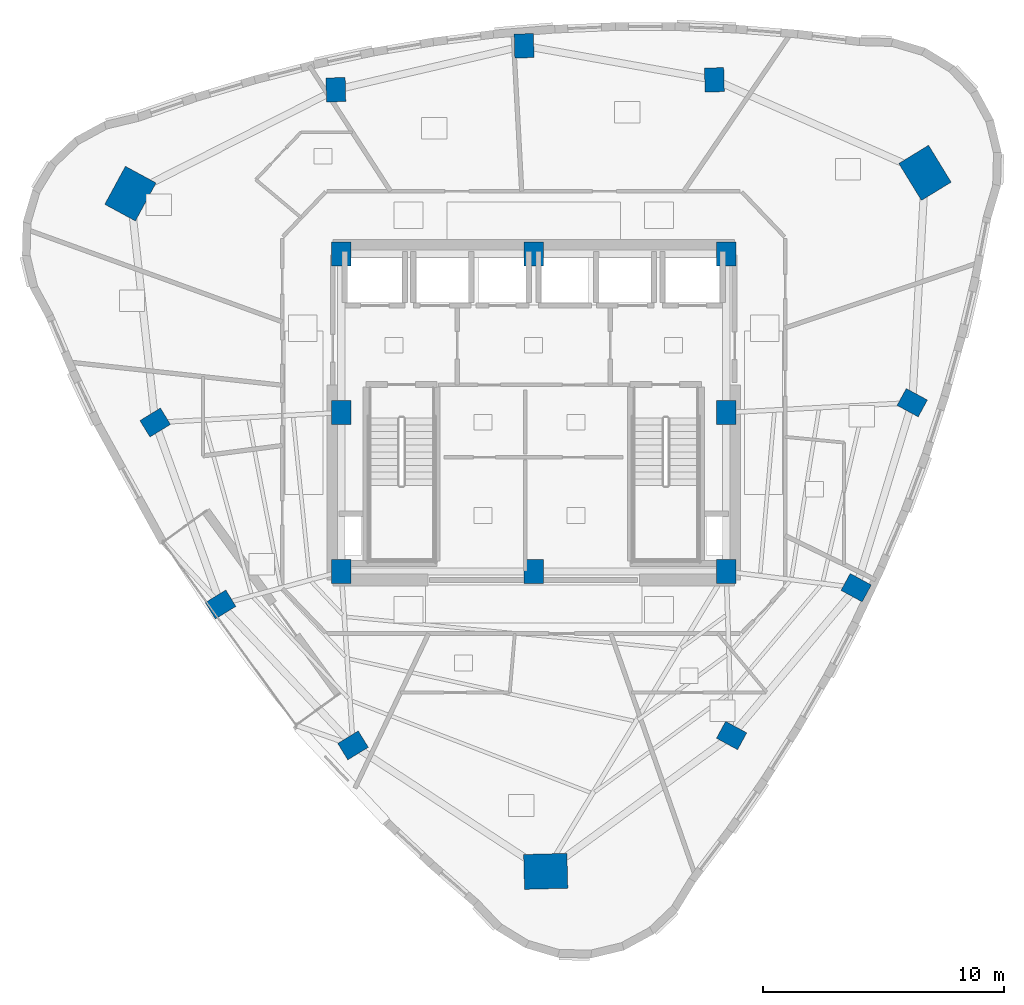
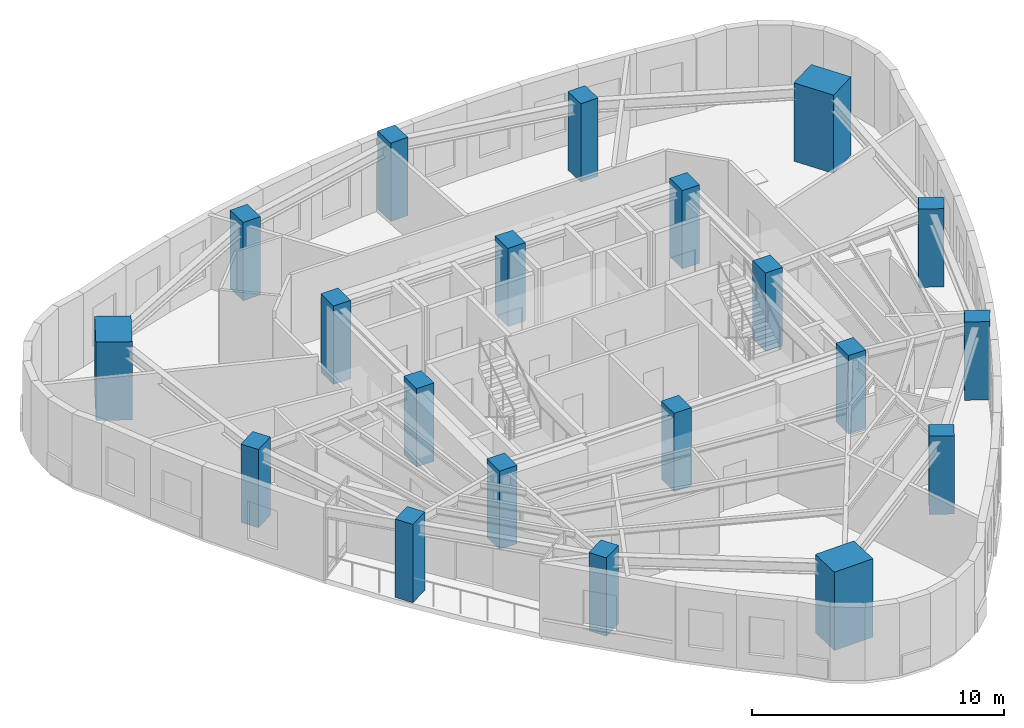
# One storey, part 1 of 12: 20 columns.
"""IFC4 building model written with IfcOpenShell, lengths in metres."""

from ifc_helpers import new_model, si_unit, direction, frame, origin, origin_2d, place, context, subcontext, project, spatial, rectangle, extrude, material, material_profile, profile_set, type_object, element, save


model = new_model("IFC4")

# Units and contexts
model_context = context("Model", 3, precision=1e-05, world=origin(), true_north=direction((0.0, 1.0)))
body_context = subcontext(model_context, "Body", "Model", "MODEL_VIEW")
ifc_project = project(units=[si_unit("LENGTHUNIT", "METRE"), si_unit("AREAUNIT", "SQUARE_METRE"), si_unit("VOLUMEUNIT", "CUBIC_METRE"), si_unit("PLANEANGLEUNIT", "RADIAN"), si_unit("MASSUNIT", "GRAM", prefix="KILO")], contexts=[model_context])

# Site, building, storey
site_placement = place(None, origin())
site = spatial("IfcSite", under=ifc_project, at=site_placement, CompositionType="ELEMENT")
building_placement = place(site_placement, origin())
building = spatial("IfcBuilding", under=site, at=building_placement, Name="Ndelora Gate Hotel", CompositionType="ELEMENT")
storey_placement = place(building_placement, frame((0.0, 0.0, 232.14990234375)))
storey = spatial("IfcBuildingStorey", under=building, at=storey_placement, Name="L58", CompositionType="ELEMENT", Elevation=232.14990234375)

# Columns
ifc_material = material(Name="Concrete C50/60", Category="concrete")
ifc_material_profile_1 = material_profile(ifc_material, rectangle(XDim=0.800048828125, YDim=1.0, at=origin_2d()), Name="RC 1000x800")
ifc_profile_set_1 = profile_set([ifc_material_profile_1], Name="Concrete C50/60")
column_type_1 = type_object("IfcColumnType", Name="COL-CC-HI", PredefinedType="COLUMN", material=ifc_profile_set_1)
for number, where, z_axis, x_axis, name in (
    (1, (-8.0, -6.60009765625, 0.0), (0.0, 0.0, 1.0), (1.0, 0.0, 0.0), "L58 Core Column CC1"),
    (2, (0.0, -6.60009765625, 0.0), (0.0, 0.0, 1.0), (1.0, 0.0, 0.0), "L58 Core Column CC2"),
    (3, (8.0, -6.60009765625, 0.0), (0.0, 0.0, 1.0), (1.0, 0.0, 0.0), "L58 Core Column CC3"),
    (4, (8.0, 0.0, 0.0), (0.0, 0.0, 1.0), (1.0, 0.0, 0.0), "L58 Core Column CC4"),
    (5, (8.0, 6.60009765625, 0.0), (0.0, 0.0, 1.0), (1.0, 0.0, 0.0), "L58 Core Column CC5"),
    (6, (0.0, 6.60009765625, 0.0), (0.0, 0.0, 1.0), (1.0, 0.0, 0.0), "L58 Core Column CC6"),
    (7, (-8.0, 6.60009765625, 0.0), (0.0, 0.0, 1.0), (1.0, 0.0, 0.0), "L58 Core Column CC7"),
    (8, (-8.0, 0.0, 0.0), (0.0, 0.0, 1.0), (1.0, 0.0, 0.0), "L58 Core Column CC8"),
):
    element("IfcColumn", number, at=place(storey_placement, frame(where, z_axis=z_axis, x_axis=x_axis)), inside=storey, type_object=column_type_1, Name=name, PredefinedType="COLUMN", context=body_context, shape_type="SweptSolid", body=[
        extrude(rectangle(XDim=0.800048828125, YDim=1.0, at=origin_2d()), origin(), (0.0, 0.0, 1.0), 3.800048828125),
    ])
ifc_material_profile_2 = material_profile(ifc_material, rectangle(XDim=1.449951171875, YDim=1.800048828125, at=origin_2d()), Name="RC 1800x1450")
ifc_profile_set_2 = profile_set([ifc_material_profile_2], Name="Concrete C50/60")
column_type_2 = type_object("IfcColumnType", Name="COL-MC-Z3", PredefinedType="COLUMN", material=ifc_profile_set_2)
for number, where, z_axis, x_axis, name in (
    (9, (-16.759521484375, 9.099609375, 0.0), (0.0, 0.0, 1.0), (-0.878817112662, 0.47715876026, 0.0), "L58 Corner Mega-Column R1"),
    (10, (0.499267578125, -19.064208984375, 0.0), (0.0, 0.0, 1.0), (-0.026176948308, 0.999657324976, 0.0), "L58 Corner Mega-Column R5"),
    (11, (16.26025390625, 9.96435546875, 0.0), (0.0, 0.0, 1.0), (0.852640164354, 0.522498564716, 0.0), "L58 Corner Mega-Column R9"),
):
    element("IfcColumn", number, at=place(storey_placement, frame(where, z_axis=z_axis, x_axis=x_axis)), inside=storey, type_object=column_type_2, Name=name, PredefinedType="COLUMN", context=body_context, shape_type="SweptSolid", body=[
        extrude(rectangle(XDim=1.449951171875, YDim=1.800048828125, at=origin_2d()), origin(), (0.0, 0.0, 1.0), 3.800048828125),
    ])
ifc_material_profile_3 = material_profile(ifc_material, rectangle(XDim=0.800048828125, YDim=1.0, at=origin_2d()), Name="RC 1000x800")
ifc_profile_set_3 = profile_set([ifc_material_profile_3], Name="Concrete C50/60")
column_type_3 = type_object("IfcColumnType", Name="COL-PT-Z3", PredefinedType="COLUMN", material=ifc_profile_set_3)
for number, where, z_axis, x_axis, name in (
    (12, (-15.72998046875, -0.411865234375, 0.0), (0.0, 0.0, 1.0), (-0.522498564716, 0.852640164354, 0.0), "L58 Perimeter Tube Column R2"),
    (13, (-13.011962890625, -7.973876953125, 0.0), (0.0, 0.0, 1.0), (-0.522498564716, 0.852640164354, 0.0), "L58 Perimeter Tube Column R3"),
    (14, (-7.50830078125, -13.828369140625, 0.0), (0.0, 0.0, 1.0), (-0.522498564716, 0.852640164354, 0.0), "L58 Perimeter Tube Column R4"),
    (15, (8.223876953125, -13.419921875, 0.0), (0.0, 0.0, 1.0), (0.47715876026, 0.878817112662, 0.0), "L58 Perimeter Tube Column R6"),
    (16, (13.400390625, -7.275634765625, 0.0), (0.0, 0.0, 1.0), (0.47715876026, 0.878817112662, 0.0), "L58 Perimeter Tube Column R7"),
    (17, (15.72998046875, 0.411865234375, 0.0), (0.0, 0.0, 1.0), (0.47715876026, 0.878817112662, 0.0), "L58 Perimeter Tube Column R8"),
    (18, (7.50830078125, 13.828369140625, 0.0), (0.0, 0.0, 1.0), (0.999657324976, 0.026176948308, 0.0), "L58 Perimeter Tube Column R10"),
    (19, (-0.399169921875, 15.242919921875, 0.0), (0.0, 0.0, 1.0), (0.999657324976, 0.026176948308, 0.0), "L58 Perimeter Tube Column R11"),
    (20, (-8.2216796875, 13.41650390625, 0.0), (0.0, 0.0, 1.0), (0.999657324976, 0.026176948308, 0.0), "L58 Perimeter Tube Column R12"),
):
    element("IfcColumn", number, at=place(storey_placement, frame(where, z_axis=z_axis, x_axis=x_axis)), inside=storey, type_object=column_type_3, Name=name, PredefinedType="COLUMN", context=body_context, shape_type="SweptSolid", body=[
        extrude(rectangle(XDim=0.800048828125, YDim=1.0, at=origin_2d()), origin(), (0.0, 0.0, 1.0), 3.800048828125),
    ])

save(model, "model.ifc")
